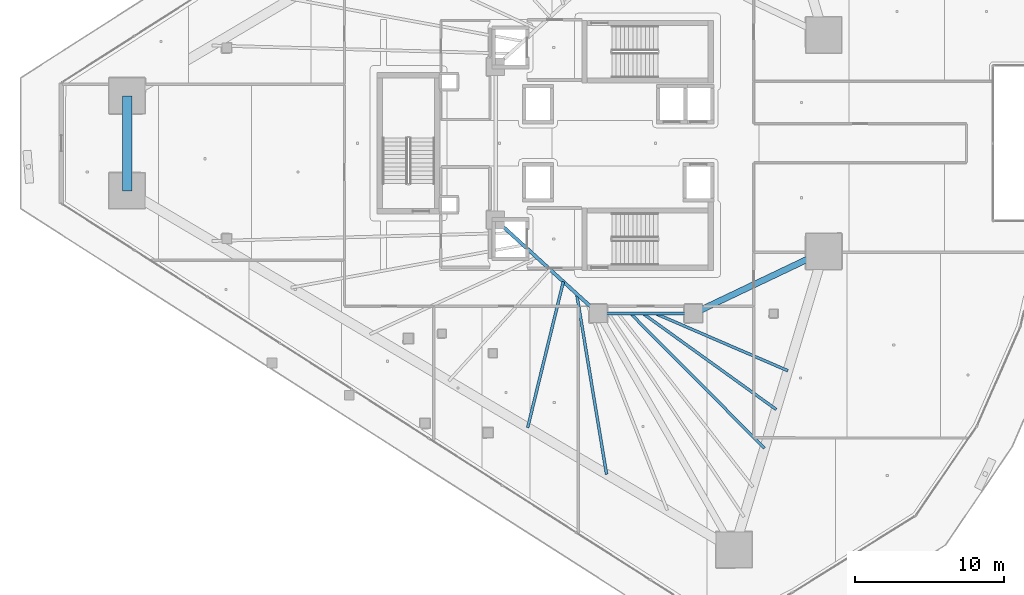
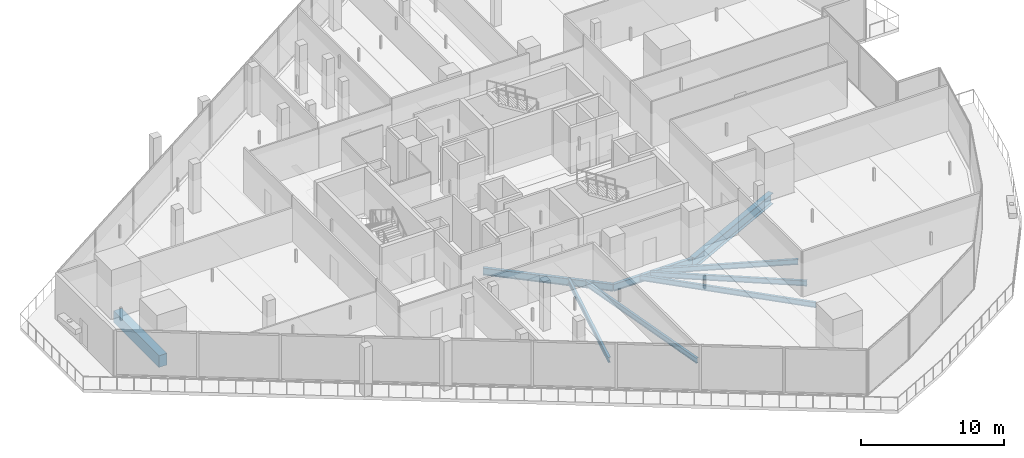
# One storey, part 12 of 44: 9 beams.
"""IFC4 building model written with IfcOpenShell, lengths in metres."""

from ifc_helpers import new_model, si_unit, direction, frame, origin, origin_2d, place, context, subcontext, project, spatial, rectangle, i_section, extrude, material, material_profile, profile_set, type_object, element, save


model = new_model("IFC4")

# Units and contexts
model_context = context("Model", 3, precision=1e-05, world=origin(), true_north=direction((0.0, 1.0)))
body_context = subcontext(model_context, "Body", "Model", "MODEL_VIEW")
ifc_project = project(units=[si_unit("LENGTHUNIT", "METRE"), si_unit("AREAUNIT", "SQUARE_METRE"), si_unit("VOLUMEUNIT", "CUBIC_METRE"), si_unit("PLANEANGLEUNIT", "RADIAN"), si_unit("MASSUNIT", "GRAM", prefix="KILO")], contexts=[model_context])

# Site, building, storey
site_placement = place(None, origin())
site = spatial("IfcSite", under=ifc_project, at=site_placement, CompositionType="ELEMENT")
building_placement = place(site_placement, origin())
building = spatial("IfcBuilding", under=site, at=building_placement, Name="Qorvath Tower", CompositionType="ELEMENT")
storey_placement = place(building_placement, frame((0.0, 0.0, 70.199951171875)))
storey = spatial("IfcBuildingStorey", under=building, at=storey_placement, Name="L15", CompositionType="ELEMENT", Elevation=70.199951171875)

# Beams
ifc_material_1 = material(Name="Steel ASTM A992 Grade 50", Category="steel")
ifc_material_profile_1 = material_profile(ifc_material_1, i_section(OverallWidth=0.422119140625, OverallDepth=0.93310546875, WebThickness=0.021240234375, FlangeThickness=0.039794921875, FilletRadius=0.02392578125, at=origin_2d()), Name="W36x262")
ifc_profile_set_1 = profile_set([ifc_material_profile_1], Name="Steel ASTM A992 Grade 50")
beam_type_1 = type_object("IfcBeamType", Name="BM-FG1", PredefinedType="BEAM", material=ifc_profile_set_1)
beam_1_placement = place(storey_placement, frame((-17.199951171875, -11.449951171875, -0.74658203125), z_axis=(0.902955751435, 0.429733534821, 0.0), x_axis=(-0.429733534821, 0.902955751435, 0.0)))
element("IfcBeam", 1, at=beam_1_placement, inside=storey, type_object=beam_type_1, Name="Radial Floor Girder CC3-MC4 L15", PredefinedType="BEAM", context=body_context, shape_type="SweptSolid", body=[
    extrude(i_section(OverallWidth=0.422119140625, OverallDepth=0.93310546875, WebThickness=0.021240234375, FlangeThickness=0.039794921875, FilletRadius=0.02392578125, at=origin_2d()), origin(), (0.0, 0.0, 1.0), 9.7119140625),
])
ifc_material_2 = material(Name="Steel ASTM A992 Grade 50", Category="steel")
ifc_material_profile_2 = material_profile(ifc_material_2, i_section(OverallWidth=0.22998046875, OverallDepth=0.616943359375, WebThickness=0.01318359375, FlangeThickness=0.022216796875, FilletRadius=0.014892578125, at=origin_2d()), Name="W24x94")
ifc_profile_set_2 = profile_set([ifc_material_profile_2], Name="Steel ASTM A992 Grade 50")
beam_type_2 = type_object("IfcBeamType", Name="BM-FG6", PredefinedType="BEAM", material=ifc_profile_set_2)
beam_2_placement = place(storey_placement, frame((-17.199951171875, -11.449951171875, -0.588623046875), z_axis=(-1.0, 0.0, 0.0), x_axis=(0.0, -1.0, 0.0)))
element("IfcBeam", 2, at=beam_2_placement, inside=storey, type_object=beam_type_2, Name="Core Ring Girder CC3-CC4 L15", PredefinedType="BEAM", context=body_context, shape_type="SweptSolid", body=[
    extrude(i_section(OverallWidth=0.22998046875, OverallDepth=0.616943359375, WebThickness=0.01318359375, FlangeThickness=0.022216796875, FilletRadius=0.014892578125, at=origin_2d()), origin(), (0.0, 0.0, 1.0), 6.400146484375),
])
beam_3_placement = place(storey_placement, frame((-23.60009765625, -11.449951171875, -0.588623046875), z_axis=(-0.73847813985, 0.6742774184, 0.0), x_axis=(-0.6742774184, -0.73847813985, 0.0)))
element("IfcBeam", 3, at=beam_3_placement, inside=storey, type_object=beam_type_2, Name="Core Ring Girder CC4-CC6 L15", PredefinedType="BEAM", context=body_context, shape_type="SweptSolid", body=[
    extrude(i_section(OverallWidth=0.22998046875, OverallDepth=0.616943359375, WebThickness=0.01318359375, FlangeThickness=0.022216796875, FilletRadius=0.014892578125, at=origin_2d()), origin(), (0.0, 0.0, 1.0), 9.343505859375),
])
ifc_material_3 = material(Name="Steel ASTM A992 Grade 50", Category="steel")
ifc_material_profile_3 = material_profile(ifc_material_3, i_section(OverallWidth=0.18994140625, OverallDepth=0.45703125, WebThickness=0.009033203125, FlangeThickness=0.014404296875, FilletRadius=0.011962890625, at=origin_2d()), Name="W18x50")
ifc_profile_set_3 = profile_set([ifc_material_profile_3], Name="Steel ASTM A992 Grade 50")
beam_type_3 = type_object("IfcBeamType", Name="BM-FJ2", PredefinedType="JOIST", material=ifc_profile_set_3)
beam_4_placement = place(storey_placement, frame((-19.760009765625, -11.449951171875, -0.508544921875), z_axis=(0.918135537923, -0.396266493667, 0.0), x_axis=(0.396266493667, 0.918135537923, 0.0)))
element("IfcBeam", 4, at=beam_4_placement, inside=storey, type_object=beam_type_3, Name="Composite Floor Joist SE3 L15", PredefinedType="JOIST", context=body_context, shape_type="SweptSolid", body=[
    extrude(i_section(OverallWidth=0.18994140625, OverallDepth=0.45703125, WebThickness=0.009033203125, FlangeThickness=0.014404296875, FilletRadius=0.011962890625, at=origin_2d()), origin(), (0.0, 0.0, 1.0), 9.7109375),
])
beam_5_placement = place(storey_placement, frame((-20.592041015625, -11.449951171875, -0.508544921875), z_axis=(0.811469358397, -0.584394969505, 0.0), x_axis=(0.584394969505, 0.811469358397, 0.0)))
element("IfcBeam", 5, at=beam_5_placement, inside=storey, type_object=beam_type_3, Name="Composite Floor Joist SE4 L15", PredefinedType="JOIST", context=body_context, shape_type="SweptSolid", body=[
    extrude(i_section(OverallWidth=0.18994140625, OverallDepth=0.45703125, WebThickness=0.009033203125, FlangeThickness=0.014404296875, FilletRadius=0.011962890625, at=origin_2d()), origin(), (0.0, 0.0, 1.0), 11.046142578125),
])
beam_6_placement = place(storey_placement, frame((-21.424072265625, -11.449951171875, -0.508544921875), z_axis=(0.705107654599, -0.709100271771, 0.0), x_axis=(0.709100271771, 0.705107654599, 0.0)))
element("IfcBeam", 6, at=beam_6_placement, inside=storey, type_object=beam_type_3, Name="Composite Floor Joist SE5 L15", PredefinedType="JOIST", context=body_context, shape_type="SweptSolid", body=[
    extrude(i_section(OverallWidth=0.18994140625, OverallDepth=0.45703125, WebThickness=0.009033203125, FlangeThickness=0.014404296875, FilletRadius=0.011962890625, at=origin_2d()), origin(), (0.0, 0.0, 1.0), 12.780029296875),
])
beam_7_placement = place(storey_placement, frame((-25.946044921875, -9.30810546875, -0.508544921875), z_axis=(-0.237165308581, -0.97146930801, 0.0), x_axis=(0.97146930801, -0.237165308581, 0.0)))
element("IfcBeam", 7, at=beam_7_placement, inside=storey, type_object=beam_type_3, Name="Composite Floor Joist SW5 L15", PredefinedType="JOIST", context=body_context, shape_type="SweptSolid", body=[
    extrude(i_section(OverallWidth=0.18994140625, OverallDepth=0.45703125, WebThickness=0.009033203125, FlangeThickness=0.014404296875, FilletRadius=0.011962890625, at=origin_2d()), origin(), (0.0, 0.0, 1.0), 10.104736328125),
])
beam_8_placement = place(storey_placement, frame((-25.049072265625, -10.126953125, -0.508544921875), z_axis=(0.163639384475, -0.98652022374, 0.0), x_axis=(0.98652022374, 0.163639384475, 0.0)))
element("IfcBeam", 8, at=beam_8_placement, inside=storey, type_object=beam_type_3, Name="Composite Floor Joist SW6 L15", PredefinedType="JOIST", context=body_context, shape_type="SweptSolid", body=[
    extrude(i_section(OverallWidth=0.18994140625, OverallDepth=0.45703125, WebThickness=0.009033203125, FlangeThickness=0.014404296875, FilletRadius=0.011962890625, at=origin_2d()), origin(), (0.0, 0.0, 1.0), 12.301025390625),
])
ifc_material_4 = material(Name="Concrete C50/60", Category="concrete")
ifc_material_profile_4 = material_profile(ifc_material_4, rectangle(XDim=0.64990234375, YDim=1.0, at=origin_2d()), Name="RCB 1000x650")
ifc_profile_set_4 = profile_set([ifc_material_profile_4], Name="Concrete C50/60")
beam_type_4 = type_object("IfcBeamType", Name="BM-RCB1", PredefinedType="SPANDREL", material=ifc_profile_set_4)
beam_9_placement = place(storey_placement, frame((-55.282958984375, 3.194580078125, -0.780029296875), z_axis=(0.0, -1.0, 0.0), x_axis=(1.0, 0.0, 0.0)))
element("IfcBeam", 9, at=beam_9_placement, inside=storey, type_object=beam_type_4, Name="Perimeter Loggia Frame Beam MC1-MC2 L15", PredefinedType="SPANDREL", context=body_context, shape_type="SweptSolid", body=[
    extrude(rectangle(XDim=0.64990234375, YDim=1.0, at=origin_2d()), origin(), (0.0, 0.0, 1.0), 6.38916015625),
])

save(model, "model.ifc")
